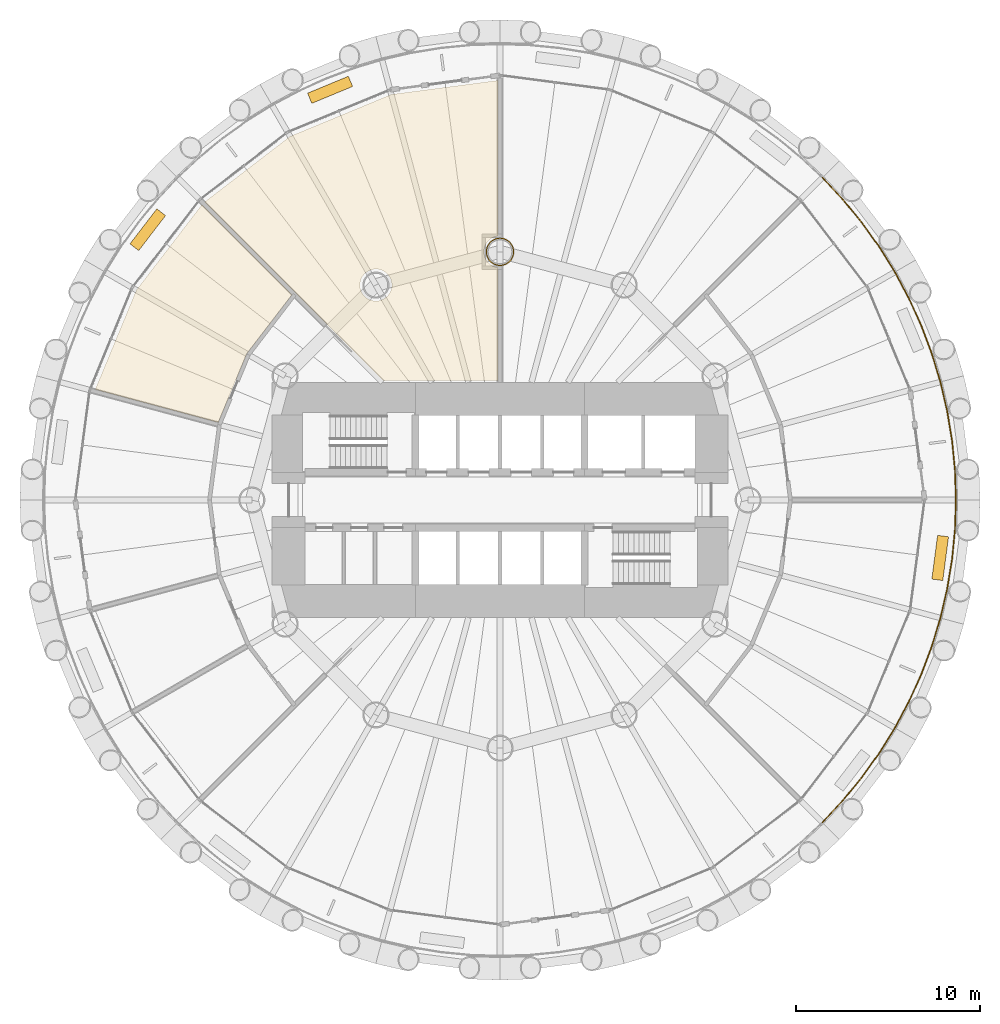
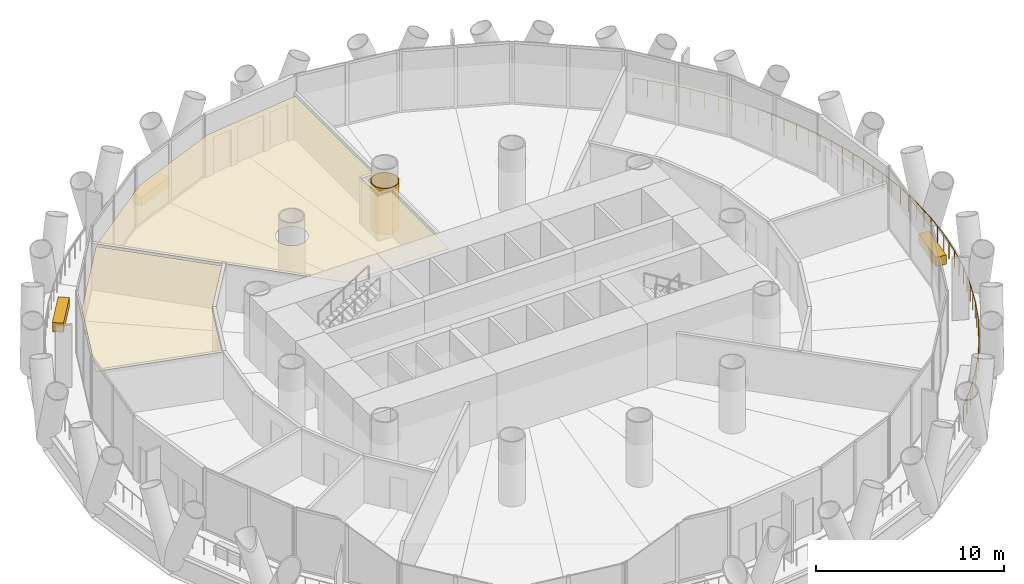
# One storey, part 13 of 14: 6 coverings, 1 railing.
"""IFC4 building model written with IfcOpenShell, lengths in metres."""

from ifc_helpers import new_model, si_unit, direction, frame, origin, origin_2d, place, context, subcontext, project, spatial, polyline, rectangle, circle, outline, extrude, material, layer, layer_set, type_object, element, save


model = new_model("IFC4")

# Units and contexts
model_context = context("Model", 3, precision=1e-05, world=origin(), true_north=direction((0.0, 1.0)))
body_context = subcontext(model_context, "Body", "Model", "MODEL_VIEW")
ifc_project = project(units=[si_unit("LENGTHUNIT", "METRE"), si_unit("AREAUNIT", "SQUARE_METRE"), si_unit("VOLUMEUNIT", "CUBIC_METRE"), si_unit("PLANEANGLEUNIT", "RADIAN"), si_unit("MASSUNIT", "GRAM", prefix="KILO")], contexts=[model_context])

# Site, building, storey
site_placement = place(None, origin())
site = spatial("IfcSite", under=ifc_project, at=site_placement, CompositionType="ELEMENT")
building_placement = place(site_placement, origin())
building = spatial("IfcBuilding", under=site, at=building_placement, Name="Qaws Media Tower", CompositionType="ELEMENT")
storey_placement = place(building_placement, frame((0.0, 0.0, 76.39990234375)))
storey = spatial("IfcBuildingStorey", under=building, at=storey_placement, Name="L16", CompositionType="ELEMENT", Elevation=76.39990234375)

# Railing
ifc_material_1 = material(Name="Stainless steel and glass guard", Category="steel")
railing_type = type_object("IfcRailingType", Name="Balcony guard 1100", PredefinedType="GUARDRAIL", material=ifc_material_1)
railing_placement = place(storey_placement, frame((77.5361328125, 32.4638671875, 0.0)))
element("IfcRailing", 1, at=railing_placement, inside=storey, type_object=railing_type, Name="GR1 balcony guard L16-4", PredefinedType="GUARDRAIL", context=body_context, shape_type="SweptSolid", body=[
    extrude(circle(Radius=0.02392578125, at=origin_2d()), frame((0.0, 0.0, 1.076171875), z_axis=(0.683635794022, 0.729823335563, 0.0), x_axis=(-0.729823335563, 0.683635794022, 0.0)), (0.0, 0.0, 1.0), 1.622802734375),
    extrude(circle(Radius=0.02392578125, at=origin_2d()), frame((1.109375, 1.184326171875, 1.076171875), z_axis=(0.634351188595, 0.773044998385, 0.0), x_axis=(-0.773044998385, 0.634351188595, 0.0)), (0.0, 0.0, 1.0), 1.623046875),
    extrude(circle(Radius=0.02392578125, at=origin_2d()), frame((2.138916015625, 2.43896484375, 1.076171875), z_axis=(0.582504032604, 0.812827812024, 0.0), x_axis=(-0.812827812024, 0.582504032604, 0.0)), (0.0, 0.0, 1.0), 1.622802734375),
    extrude(circle(Radius=0.02392578125, at=origin_2d()), frame((3.084228515625, 3.758056640625, 1.076171875), z_axis=(0.528145239967, 0.849154052867, 0.0), x_axis=(-0.849154052867, 0.528145239967, 0.0)), (0.0, 0.0, 1.0), 1.623046875),
    extrude(circle(Radius=0.02392578125, at=origin_2d()), frame((3.94140625, 5.13623046875, 1.076171875), z_axis=(0.471361130301, 0.881940295508, 0.0), x_axis=(-0.881940295508, 0.471361130301, 0.0)), (0.0, 0.0, 1.0), 1.622802734375),
    extrude(circle(Radius=0.02392578125, at=origin_2d()), frame((4.706298828125, 6.5673828125, 1.076171875), z_axis=(0.412646518677, 0.910891239734, 0.0), x_axis=(-0.910891239734, 0.412646518677, 0.0)), (0.0, 0.0, 1.0), 1.622802734375),
    extrude(circle(Radius=0.02392578125, at=origin_2d()), frame((5.3759765625, 8.045654296875, 1.076171875), z_axis=(0.352326658486, 0.935877089003, 0.0), x_axis=(-0.935877089003, 0.352326658486, 0.0)), (0.0, 0.0, 1.0), 1.622802734375),
    extrude(circle(Radius=0.02392578125, at=origin_2d()), frame((5.94775390625, 9.564453125, 1.076171875), z_axis=(0.290341398585, 0.956923127669, 0.0), x_axis=(-0.956923127669, 0.290341398585, 0.0)), (0.0, 0.0, 1.0), 1.622802734375),
    extrude(circle(Radius=0.02392578125, at=origin_2d()), frame((6.4189453125, 11.117431640625, 1.076171875), z_axis=(0.227001346389, 0.973894444351, 0.0), x_axis=(-0.973894444351, 0.227001346389, 0.0)), (0.0, 0.0, 1.0), 1.623046875),
    extrude(circle(Radius=0.02392578125, at=origin_2d()), frame((6.787353515625, 12.697998046875, 1.076171875), z_axis=(0.162934989647, 0.986636807112, 0.0), x_axis=(-0.986636807112, 0.162934989647, 0.0)), (0.0, 0.0, 1.0), 1.622802734375),
    extrude(circle(Radius=0.02392578125, at=origin_2d()), frame((7.0517578125, 14.299072265625, 1.076171875), z_axis=(0.097939565983, 0.995192364026, 0.0), x_axis=(-0.995192364026, 0.097939565983, 0.0)), (0.0, 0.0, 1.0), 1.622802734375),
    extrude(circle(Radius=0.02392578125, at=origin_2d()), frame((7.210693359375, 15.9140625, 1.076171875), z_axis=(0.032793911114, 0.999462135048, 0.0), x_axis=(-0.999462135048, 0.032793911114, 0.0)), (0.0, 0.0, 1.0), 1.623046875),
    extrude(circle(Radius=0.02392578125, at=origin_2d()), frame((7.263916015625, 17.5361328125, 1.076171875), z_axis=(-0.032793911114, 0.999462135048, 0.0), x_axis=(-0.999462135048, -0.032793911114, 0.0)), (0.0, 0.0, 1.0), 1.623046875),
    extrude(circle(Radius=0.02392578125, at=origin_2d()), frame((7.210693359375, 19.158203125, 1.076171875), z_axis=(-0.097939565983, 0.995192364026, 0.0), x_axis=(-0.995192364026, -0.097939565983, 0.0)), (0.0, 0.0, 1.0), 1.622802734375),
    extrude(circle(Radius=0.02392578125, at=origin_2d()), frame((7.0517578125, 20.773193359375, 1.076171875), z_axis=(-0.162934989647, 0.986636807112, 0.0), x_axis=(-0.986636807112, -0.162934989647, 0.0)), (0.0, 0.0, 1.0), 1.622802734375),
    extrude(circle(Radius=0.02392578125, at=origin_2d()), frame((6.787353515625, 22.374267578125, 1.076171875), z_axis=(-0.227001346389, 0.973894444351, 0.0), x_axis=(-0.973894444351, -0.227001346389, 0.0)), (0.0, 0.0, 1.0), 1.623046875),
    extrude(circle(Radius=0.02392578125, at=origin_2d()), frame((6.4189453125, 23.954833984375, 1.076171875), z_axis=(-0.290341398585, 0.956923127669, 0.0), x_axis=(-0.956923127669, -0.290341398585, 0.0)), (0.0, 0.0, 1.0), 1.622802734375),
    extrude(circle(Radius=0.02392578125, at=origin_2d()), frame((5.94775390625, 25.5078125, 1.076171875), z_axis=(-0.352326658486, 0.935877089003, 0.0), x_axis=(-0.935877089003, -0.352326658486, 0.0)), (0.0, 0.0, 1.0), 1.622802734375),
    extrude(circle(Radius=0.02392578125, at=origin_2d()), frame((5.3759765625, 27.026611328125, 1.076171875), z_axis=(-0.412646518677, 0.910891239734, 0.0), x_axis=(-0.910891239734, -0.412646518677, 0.0)), (0.0, 0.0, 1.0), 1.622802734375),
    extrude(circle(Radius=0.02392578125, at=origin_2d()), frame((4.706298828125, 28.5048828125, 1.076171875), z_axis=(-0.471361130301, 0.881940295508, 0.0), x_axis=(-0.881940295508, -0.471361130301, 0.0)), (0.0, 0.0, 1.0), 1.622802734375),
    extrude(circle(Radius=0.02392578125, at=origin_2d()), frame((3.94140625, 29.93603515625, 1.076171875), z_axis=(-0.528145239967, 0.849154052867, 0.0), x_axis=(-0.849154052867, -0.528145239967, 0.0)), (0.0, 0.0, 1.0), 1.623046875),
    extrude(circle(Radius=0.02392578125, at=origin_2d()), frame((3.084228515625, 31.314208984375, 1.076171875), z_axis=(-0.582504032604, 0.812827812024, 0.0), x_axis=(-0.812827812024, -0.582504032604, 0.0)), (0.0, 0.0, 1.0), 1.622802734375),
    extrude(circle(Radius=0.02392578125, at=origin_2d()), frame((2.138916015625, 32.63330078125, 1.076171875), z_axis=(-0.634351188595, 0.773044998385, 0.0), x_axis=(-0.773044998385, -0.634351188595, 0.0)), (0.0, 0.0, 1.0), 1.623046875),
    extrude(circle(Radius=0.02392578125, at=origin_2d()), frame((1.109375, 33.887939453125, 1.076171875), z_axis=(-0.683635794022, 0.729823335563, 0.0), x_axis=(-0.729823335563, -0.683635794022, 0.0)), (0.0, 0.0, 1.0), 1.622802734375),
    extrude(circle(Radius=0.02099609375, at=origin_2d()), origin(), (0.0, 0.0, 1.0), 1.052001953125),
    extrude(circle(Radius=0.02099609375, at=origin_2d()), frame((0.5546875, 0.59228515625, 0.0)), (0.0, 0.0, 1.0), 1.052001953125),
    extrude(circle(Radius=0.02099609375, at=origin_2d()), frame((1.109375, 1.184326171875, 0.0)), (0.0, 0.0, 1.0), 1.052001953125),
    extrude(circle(Radius=0.02099609375, at=origin_2d()), frame((1.6240234375, 1.8115234375, 0.0)), (0.0, 0.0, 1.0), 1.052001953125),
    extrude(circle(Radius=0.02099609375, at=origin_2d()), frame((2.138916015625, 2.43896484375, 0.0)), (0.0, 0.0, 1.0), 1.052001953125),
    extrude(circle(Radius=0.02099609375, at=origin_2d()), frame((2.611572265625, 3.0986328125, 0.0)), (0.0, 0.0, 1.0), 1.052001953125),
    extrude(circle(Radius=0.02099609375, at=origin_2d()), frame((3.084228515625, 3.758056640625, 0.0)), (0.0, 0.0, 1.0), 1.052001953125),
    extrude(circle(Radius=0.02099609375, at=origin_2d()), frame((3.5126953125, 4.447265625, 0.0)), (0.0, 0.0, 1.0), 1.052001953125),
    extrude(circle(Radius=0.02099609375, at=origin_2d()), frame((3.94140625, 5.13623046875, 0.0)), (0.0, 0.0, 1.0), 1.052001953125),
    extrude(circle(Radius=0.02099609375, at=origin_2d()), frame((4.32373046875, 5.851806640625, 0.0)), (0.0, 0.0, 1.0), 1.052001953125),
    extrude(circle(Radius=0.02099609375, at=origin_2d()), frame((4.706298828125, 6.5673828125, 0.0)), (0.0, 0.0, 1.0), 1.052001953125),
    extrude(circle(Radius=0.02099609375, at=origin_2d()), frame((5.041015625, 7.306640625, 0.0)), (0.0, 0.0, 1.0), 1.052001953125),
    extrude(circle(Radius=0.02099609375, at=origin_2d()), frame((5.3759765625, 8.045654296875, 0.0)), (0.0, 0.0, 1.0), 1.052001953125),
    extrude(circle(Radius=0.02099609375, at=origin_2d()), frame((5.661865234375, 8.80517578125, 0.0)), (0.0, 0.0, 1.0), 1.052001953125),
    extrude(circle(Radius=0.02099609375, at=origin_2d()), frame((5.94775390625, 9.564453125, 0.0)), (0.0, 0.0, 1.0), 1.052001953125),
    extrude(circle(Radius=0.02099609375, at=origin_2d()), frame((6.183349609375, 10.3408203125, 0.0)), (0.0, 0.0, 1.0), 1.052001953125),
    extrude(circle(Radius=0.02099609375, at=origin_2d()), frame((6.4189453125, 11.117431640625, 0.0)), (0.0, 0.0, 1.0), 1.052001953125),
    extrude(circle(Radius=0.02099609375, at=origin_2d()), frame((6.60302734375, 11.90771484375, 0.0)), (0.0, 0.0, 1.0), 1.052001953125),
    extrude(circle(Radius=0.02099609375, at=origin_2d()), frame((6.787353515625, 12.697998046875, 0.0)), (0.0, 0.0, 1.0), 1.052001953125),
    extrude(circle(Radius=0.02099609375, at=origin_2d()), frame((6.91943359375, 13.49853515625, 0.0)), (0.0, 0.0, 1.0), 1.052001953125),
    extrude(circle(Radius=0.02099609375, at=origin_2d()), frame((7.0517578125, 14.299072265625, 0.0)), (0.0, 0.0, 1.0), 1.052001953125),
    extrude(circle(Radius=0.02099609375, at=origin_2d()), frame((7.13134765625, 15.1064453125, 0.0)), (0.0, 0.0, 1.0), 1.052001953125),
    extrude(circle(Radius=0.02099609375, at=origin_2d()), frame((7.210693359375, 15.9140625, 0.0)), (0.0, 0.0, 1.0), 1.052001953125),
    extrude(circle(Radius=0.02099609375, at=origin_2d()), frame((7.2373046875, 16.72509765625, 0.0)), (0.0, 0.0, 1.0), 1.052001953125),
    extrude(circle(Radius=0.02099609375, at=origin_2d()), frame((7.263916015625, 17.5361328125, 0.0)), (0.0, 0.0, 1.0), 1.052001953125),
    extrude(circle(Radius=0.02099609375, at=origin_2d()), frame((7.2373046875, 18.34716796875, 0.0)), (0.0, 0.0, 1.0), 1.052001953125),
    extrude(circle(Radius=0.02099609375, at=origin_2d()), frame((7.210693359375, 19.158203125, 0.0)), (0.0, 0.0, 1.0), 1.052001953125),
    extrude(circle(Radius=0.02099609375, at=origin_2d()), frame((7.13134765625, 19.9658203125, 0.0)), (0.0, 0.0, 1.0), 1.052001953125),
    extrude(circle(Radius=0.02099609375, at=origin_2d()), frame((7.0517578125, 20.773193359375, 0.0)), (0.0, 0.0, 1.0), 1.052001953125),
    extrude(circle(Radius=0.02099609375, at=origin_2d()), frame((6.91943359375, 21.57373046875, 0.0)), (0.0, 0.0, 1.0), 1.052001953125),
    extrude(circle(Radius=0.02099609375, at=origin_2d()), frame((6.787353515625, 22.374267578125, 0.0)), (0.0, 0.0, 1.0), 1.052001953125),
    extrude(circle(Radius=0.02099609375, at=origin_2d()), frame((6.60302734375, 23.16455078125, 0.0)), (0.0, 0.0, 1.0), 1.052001953125),
    extrude(circle(Radius=0.02099609375, at=origin_2d()), frame((6.4189453125, 23.954833984375, 0.0)), (0.0, 0.0, 1.0), 1.052001953125),
    extrude(circle(Radius=0.02099609375, at=origin_2d()), frame((6.183349609375, 24.7314453125, 0.0)), (0.0, 0.0, 1.0), 1.052001953125),
    extrude(circle(Radius=0.02099609375, at=origin_2d()), frame((5.94775390625, 25.5078125, 0.0)), (0.0, 0.0, 1.0), 1.052001953125),
    extrude(circle(Radius=0.02099609375, at=origin_2d()), frame((5.661865234375, 26.26708984375, 0.0)), (0.0, 0.0, 1.0), 1.052001953125),
    extrude(circle(Radius=0.02099609375, at=origin_2d()), frame((5.3759765625, 27.026611328125, 0.0)), (0.0, 0.0, 1.0), 1.052001953125),
    extrude(circle(Radius=0.02099609375, at=origin_2d()), frame((5.041015625, 27.765625, 0.0)), (0.0, 0.0, 1.0), 1.052001953125),
    extrude(circle(Radius=0.02099609375, at=origin_2d()), frame((4.706298828125, 28.5048828125, 0.0)), (0.0, 0.0, 1.0), 1.052001953125),
    extrude(circle(Radius=0.02099609375, at=origin_2d()), frame((4.32373046875, 29.220458984375, 0.0)), (0.0, 0.0, 1.0), 1.052001953125),
    extrude(circle(Radius=0.02099609375, at=origin_2d()), frame((3.94140625, 29.93603515625, 0.0)), (0.0, 0.0, 1.0), 1.052001953125),
    extrude(circle(Radius=0.02099609375, at=origin_2d()), frame((3.5126953125, 30.625, 0.0)), (0.0, 0.0, 1.0), 1.052001953125),
    extrude(circle(Radius=0.02099609375, at=origin_2d()), frame((3.084228515625, 31.314208984375, 0.0)), (0.0, 0.0, 1.0), 1.052001953125),
    extrude(circle(Radius=0.02099609375, at=origin_2d()), frame((2.611572265625, 31.9736328125, 0.0)), (0.0, 0.0, 1.0), 1.052001953125),
    extrude(circle(Radius=0.02099609375, at=origin_2d()), frame((2.138916015625, 32.63330078125, 0.0)), (0.0, 0.0, 1.0), 1.052001953125),
    extrude(circle(Radius=0.02099609375, at=origin_2d()), frame((1.6240234375, 33.2607421875, 0.0)), (0.0, 0.0, 1.0), 1.052001953125),
    extrude(circle(Radius=0.02099609375, at=origin_2d()), frame((1.109375, 33.887939453125, 0.0)), (0.0, 0.0, 1.0), 1.052001953125),
    extrude(circle(Radius=0.02099609375, at=origin_2d()), frame((0.5546875, 34.47998046875, 0.0)), (0.0, 0.0, 1.0), 1.052001953125),
    extrude(circle(Radius=0.02099609375, at=origin_2d()), frame((0.0, 35.072265625, 0.0)), (0.0, 0.0, 1.0), 1.052001953125),
])

# Coverings
ifc_material_2 = material(Name="Two layers 15 fire-rated gypsum board on steel framing", Category="steel")
ifc_layer_1 = layer(ifc_material_2, 0.050048828125)
ifc_layer_set_1 = layer_set([ifc_layer_1], Name="Column fire casing")
covering_type_1 = type_object("IfcCoveringType", Name="Column fire casing", PredefinedType="CLADDING", material=ifc_layer_set_1)
covering_1_placement = place(storey_placement, origin())
element("IfcCovering", 2, at=covering_1_placement, inside=storey, type_object=covering_type_1, Name="CC1 column casing L16", PredefinedType="CLADDING", context=body_context, shape_type="SweptSolid", body=[
    extrude(outline(polyline([(60.76611328125, 63.5), (60.759521484375, 63.39990234375), (60.739990234375, 63.3017578125), (60.707763671875, 63.206787109375), (60.663330078125, 63.116943359375), (60.607666015625, 63.03369140625), (60.54150390625, 62.95849609375), (60.46630859375, 62.892333984375), (60.383056640625, 62.836669921875), (60.293212890625, 62.792236328125), (60.1982421875, 62.760009765625), (60.10009765625, 62.740478515625), (60.0, 62.73388671875), (59.89990234375, 62.740478515625), (59.8017578125, 62.760009765625), (59.706787109375, 62.792236328125), (59.616943359375, 62.836669921875), (59.53369140625, 62.892333984375), (59.45849609375, 62.95849609375), (59.392333984375, 63.03369140625), (59.336669921875, 63.116943359375), (59.292236328125, 63.206787109375), (59.260009765625, 63.3017578125), (59.240478515625, 63.39990234375), (59.23388671875, 63.5), (59.240478515625, 63.60009765625), (59.260009765625, 63.6982421875), (59.292236328125, 63.793212890625), (59.336669921875, 63.883056640625), (59.392333984375, 63.96630859375), (59.45849609375, 64.04150390625), (59.53369140625, 64.107666015625), (59.616943359375, 64.163330078125), (59.706787109375, 64.207763671875), (59.8017578125, 64.239990234375), (59.89990234375, 64.259521484375), (60.0, 64.26611328125), (60.10009765625, 64.259521484375), (60.1982421875, 64.239990234375), (60.293212890625, 64.207763671875), (60.383056640625, 64.163330078125), (60.46630859375, 64.107666015625), (60.54150390625, 64.04150390625), (60.607666015625, 63.96630859375), (60.663330078125, 63.883056640625), (60.707763671875, 63.793212890625), (60.739990234375, 63.6982421875), (60.759521484375, 63.60009765625), (60.76611328125, 63.5)]), holes=[polyline([(60.714111328125, 63.5), (60.7080078125, 63.40673828125), (60.689697265625, 63.315185546875), (60.65966796875, 63.226806640625), (60.618408203125, 63.14306640625), (60.56640625, 63.065185546875), (60.5048828125, 62.9951171875), (60.434814453125, 62.93359375), (60.35693359375, 62.881591796875), (60.273193359375, 62.84033203125), (60.184814453125, 62.810302734375), (60.09326171875, 62.7919921875), (60.0, 62.785888671875), (59.90673828125, 62.7919921875), (59.815185546875, 62.810302734375), (59.726806640625, 62.84033203125), (59.64306640625, 62.881591796875), (59.565185546875, 62.93359375), (59.4951171875, 62.9951171875), (59.43359375, 63.065185546875), (59.381591796875, 63.14306640625), (59.34033203125, 63.226806640625), (59.310302734375, 63.315185546875), (59.2919921875, 63.40673828125), (59.285888671875, 63.5), (59.2919921875, 63.59326171875), (59.310302734375, 63.684814453125), (59.34033203125, 63.773193359375), (59.381591796875, 63.85693359375), (59.43359375, 63.934814453125), (59.4951171875, 64.0048828125), (59.565185546875, 64.06640625), (59.64306640625, 64.118408203125), (59.726806640625, 64.15966796875), (59.815185546875, 64.189697265625), (59.90673828125, 64.2080078125), (60.0, 64.214111328125), (60.09326171875, 64.2080078125), (60.184814453125, 64.189697265625), (60.273193359375, 64.15966796875), (60.35693359375, 64.118408203125), (60.434814453125, 64.06640625), (60.5048828125, 64.0048828125), (60.56640625, 63.934814453125), (60.618408203125, 63.85693359375), (60.65966796875, 63.773193359375), (60.689697265625, 63.684814453125), (60.7080078125, 63.59326171875), (60.714111328125, 63.5)])]), origin(), (0.0, 0.0, 1.0), 3.02001953125),
])
ifc_material_3 = material(Name="600 x 600 mineral fibre tiles in exposed grid, suspended", Category="mineral fibre")
ifc_layer_2 = layer(ifc_material_3, 0.02001953125)
ifc_layer_set_2 = layer_set([ifc_layer_2], Name="Mineral fibre tile ceiling 20")
covering_type_2 = type_object("IfcCoveringType", Name="Mineral fibre tile ceiling 20", PredefinedType="CEILING", material=ifc_layer_set_2)
covering_2_placement = place(storey_placement, frame((0.0, 0.0, 2.85009765625)))
element("IfcCovering", 3, at=covering_2_placement, inside=storey, type_object=covering_type_2, Name="CL1 ceiling L16-04 Social media desk", PredefinedType="CEILING", context=body_context, shape_type="SweptSolid", body=[
    extrude(outline(polyline([(48.58251953125, 69.77587890625), (54.08984375, 72.05712890625), (59.887451171875, 72.8203125), (59.887451171875, 64.363525390625), (59.774658203125, 64.34130859375), (59.666748046875, 64.3046875), (59.564453125, 64.25439453125), (59.4697265625, 64.19091796875), (59.384033203125, 64.115966796875), (59.30908203125, 64.0302734375), (59.24560546875, 63.935546875), (59.1953125, 63.833251953125), (59.15869140625, 63.725341796875), (59.136474609375, 63.61376953125), (59.12890625, 63.5), (59.136474609375, 63.38623046875), (59.15869140625, 63.274658203125), (59.1953125, 63.166748046875), (59.24560546875, 63.064453125), (59.30908203125, 62.9697265625), (59.384033203125, 62.884033203125), (59.4697265625, 62.80908203125), (59.564453125, 62.74560546875), (59.666748046875, 62.6953125), (59.774658203125, 62.65869140625), (59.887451171875, 62.636474609375), (59.887451171875, 56.512451171875), (53.646484375, 56.512451171875), (43.943115234375, 66.216064453125), (48.58251953125, 69.77587890625)]), holes=[polyline([(54.0546875, 61.35791015625), (54.09130859375, 61.4658203125), (54.113525390625, 61.57763671875), (54.12109375, 61.69140625), (54.113525390625, 61.804931640625), (54.09130859375, 61.916748046875), (54.0546875, 62.024658203125), (54.00439453125, 62.126708984375), (53.94091796875, 62.2216796875), (53.865966796875, 62.30712890625), (53.7802734375, 62.38232421875), (53.685546875, 62.44580078125), (53.583251953125, 62.49609375), (53.475341796875, 62.53271484375), (53.36376953125, 62.554931640625), (53.25, 62.562255859375), (53.13623046875, 62.554931640625), (53.024658203125, 62.53271484375), (52.916748046875, 62.49609375), (52.814453125, 62.44580078125), (52.7197265625, 62.38232421875), (52.634033203125, 62.30712890625), (52.55908203125, 62.2216796875), (52.49560546875, 62.126708984375), (52.4453125, 62.024658203125), (52.40869140625, 61.916748046875), (52.386474609375, 61.804931640625), (52.37890625, 61.69140625), (52.386474609375, 61.57763671875), (52.40869140625, 61.4658203125), (52.4453125, 61.35791015625), (52.49560546875, 61.255859375), (52.55908203125, 61.1611328125), (52.634033203125, 61.075439453125), (52.7197265625, 61.000244140625), (52.814453125, 60.93701171875), (52.916748046875, 60.88671875), (53.024658203125, 60.85009765625), (53.13623046875, 60.827880859375), (53.25, 60.8203125), (53.36376953125, 60.827880859375), (53.475341796875, 60.85009765625), (53.583251953125, 60.88671875), (53.685546875, 60.93701171875), (53.7802734375, 61.000244140625), (53.865966796875, 61.075439453125), (53.94091796875, 61.1611328125), (54.00439453125, 61.255859375), (54.0546875, 61.35791015625)])]), origin(), (0.0, 0.0, 1.0), 0.02001953125),
])
covering_3_placement = place(storey_placement, frame((0.0, 0.0, 2.85009765625)))
element("IfcCovering", 4, at=covering_3_placement, inside=storey, type_object=covering_type_2, Name="CL1 ceiling L16-05 Graphics studio", PredefinedType="CEILING", context=body_context, shape_type="SweptSolid", body=[
    extrude(outline(polyline([(40.22412109375, 61.41748046875), (43.783935546875, 66.056884765625), (48.678466796875, 61.16259765625), (46.218505859375, 57.956787109375), (44.672119140625, 54.223388671875), (37.986328125, 56.014892578125), (40.22412109375, 61.41748046875)])), origin(), (0.0, 0.0, 1.0), 0.02001953125),
])
ifc_material_4 = material(Name="Precast concrete planter with trailing planting", Category="concrete")
ifc_layer_3 = layer(ifc_material_4, 0.60009765625)
ifc_layer_set_3 = layer_set([ifc_layer_3], Name="Planter 2400x600")
covering_type_3 = type_object("IfcCoveringType", Name="Planter 2400x600", PredefinedType="USERDEFINED", material=ifc_layer_set_3)
for number, where, z_axis, x_axis, name in (
    (5, (50.75830078125, 72.311767578125, 0.0), (0.0, 0.0, 1.0), (-0.923879532511, -0.382683432365, 0.0), "PL1 balcony planter L16-04"),
    (6, (40.840576171875, 64.70166015625, 0.0), (0.0, 0.0, 1.0), (-0.608761429009, -0.793353340291, 0.0), "PL1 balcony planter L16-05"),
    (7, (83.943359375, 46.847900390625, 0.0), (0.0, 0.0, 1.0), (0.13052619222, 0.991444861374, 0.0), "PL1 balcony planter L16-12"),
):
    element("IfcCovering", number, at=place(storey_placement, frame(where, z_axis=z_axis, x_axis=x_axis)), inside=storey, type_object=covering_type_3, Name=name, ObjectType="PLANTER", PredefinedType="USERDEFINED", context=body_context, shape_type="SweptSolid", body=[
        extrude(rectangle(XDim=2.39990234375, YDim=0.60009765625, at=origin_2d()), origin(), (0.0, 0.0, 1.0), 0.60009765625),
    ])

save(model, "model.ifc")
